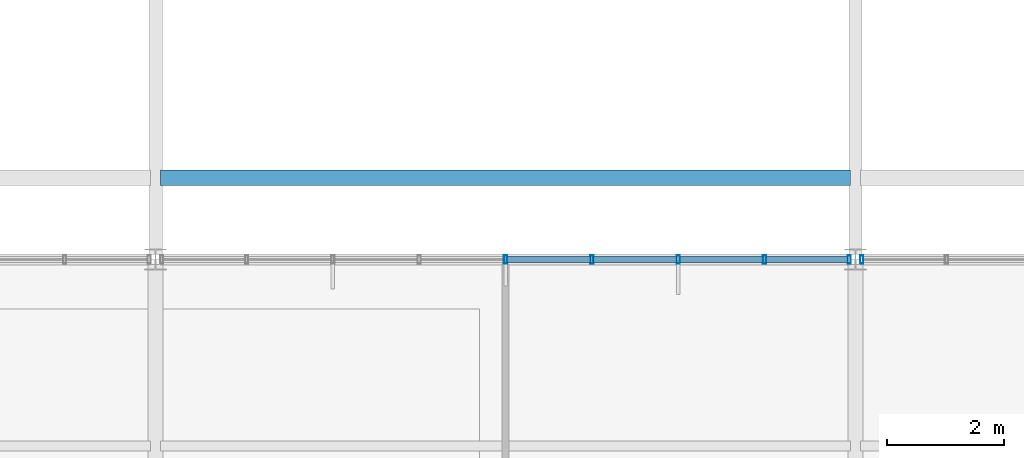
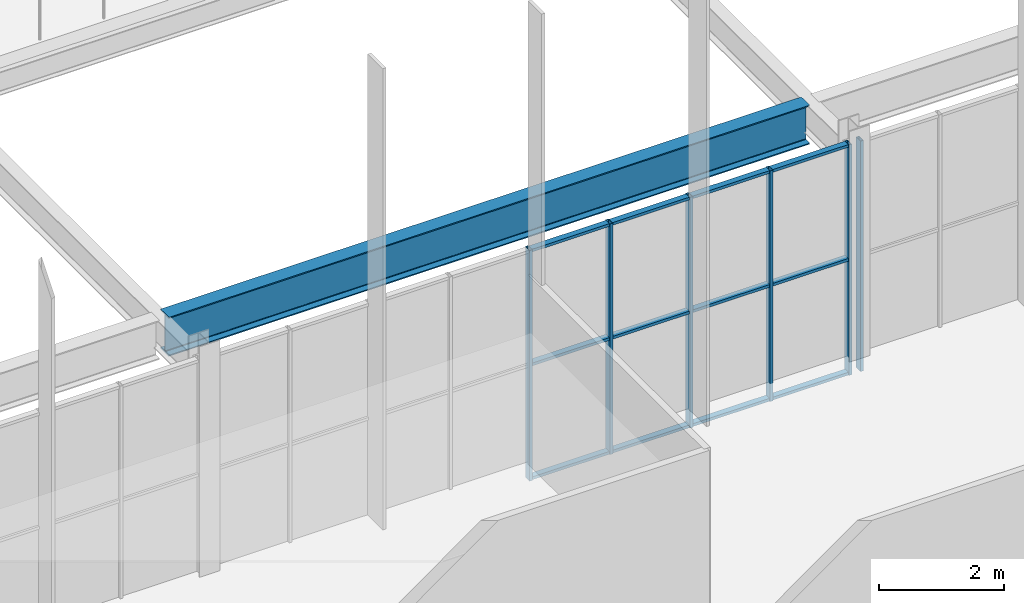
# One storey, part 195 of 324: 18 members, 1 beam, 2 elements without a shape of their own.
"""IFC4 building model written with IfcOpenShell, lengths in metres."""

from ifc_helpers import new_model, si_unit, direction, frame, origin, origin_2d, place, context, subcontext, project, spatial, hollow_rectangle, i_section, extrude, material, layer, layer_set, material_profile, profile_set, type_object, element, aggregate, save


model = new_model("IFC4")

# Units and contexts
model_context = context("Model", 3, precision=1e-05, world=origin(), true_north=direction((0.0, 1.0)))
body_context = subcontext(model_context, "Body", "Model", "MODEL_VIEW")
ifc_project = project(units=[si_unit("LENGTHUNIT", "METRE"), si_unit("AREAUNIT", "SQUARE_METRE"), si_unit("VOLUMEUNIT", "CUBIC_METRE"), si_unit("PLANEANGLEUNIT", "RADIAN"), si_unit("MASSUNIT", "GRAM", prefix="KILO")], contexts=[model_context])

# Site, building, storey
site_placement = place(None, origin())
site = spatial("IfcSite", under=ifc_project, at=site_placement, CompositionType="ELEMENT")
building_placement = place(site_placement, origin())
building = spatial("IfcBuilding", under=site, at=building_placement, Name="Solvenia Promenade Tram Depot", CompositionType="ELEMENT")
storey_placement = place(building_placement, frame((0.0, 0.0, 4.5)))
storey = spatial("IfcBuildingStorey", under=building, at=storey_placement, Name="L01", CompositionType="ELEMENT", Elevation=4.5)

# Curtain wall, members
ifc_material_1 = material(Name="Anodized aluminium AW-6063 T6", Category="aluminium")
ifc_layer = layer(ifc_material_1, 0.080078125, Name="Anodized aluminium AW-6063 T6", Category="aluminium")
ifc_layer_set = layer_set([ifc_layer], Name="Anodized aluminium AW-6063 T6")
curtain_wall_type = type_object("IfcCurtainWallType", Name="CW-Clerest-1500", PredefinedType="NOTDEFINED", material=ifc_layer_set)
curtain_wall_1_placement = place(storey_placement, origin())
curtain_wall_1 = element("IfcCurtainWall", 1, at=curtain_wall_1_placement, inside=storey, type_object=curtain_wall_type, Name="Curtain Wall CW-V2S-L1-08", PredefinedType="NOTDEFINED")
ifc_material_profile_1 = material_profile(ifc_material_1, hollow_rectangle(XDim=0.139892578125, YDim=0.054931640625, WallThickness=0.00390625, at=origin_2d()), Name="ALU-M4", Category="aluminium")
ifc_profile_set_1 = profile_set([ifc_material_profile_1], Name="Anodized aluminium AW-6063 T6")
member_type_1 = type_object("IfcMemberType", Name="CWM-Mullion-4", PredefinedType="MULLION", material=ifc_profile_set_1)
member_1_placement = place(storey_placement, frame((168.0, 24.0, -0.35009765625), z_axis=(0.0, 0.0, 1.0), x_axis=(0.0, 1.0, 0.0)))
member_1 = element("IfcMember", 2, at=member_1_placement, type_object=member_type_1, Name="CW-4 mullion 5", PredefinedType="MULLION", context=body_context, shape_type="SweptSolid", body=[
    extrude(hollow_rectangle(XDim=0.139892578125, YDim=0.054931640625, WallThickness=0.00390625, at=origin_2d()), origin(), (0.0, 0.0, 1.0), 4.5),
])
member_2_placement = place(storey_placement, frame((169.47998046875, 24.0, -0.35009765625), z_axis=(0.0, 0.0, 1.0), x_axis=(0.0, 1.0, 0.0)))
member_2 = element("IfcMember", 3, at=member_2_placement, type_object=member_type_1, Name="CW-4 mullion 6", PredefinedType="MULLION", context=body_context, shape_type="SweptSolid", body=[
    extrude(hollow_rectangle(XDim=0.139892578125, YDim=0.054931640625, WallThickness=0.00390625, at=origin_2d()), origin(), (0.0, 0.0, 1.0), 4.5),
])
member_3_placement = place(storey_placement, frame((170.9599609375, 24.0, -0.35009765625), z_axis=(0.0, 0.0, 1.0), x_axis=(0.0, 1.0, 0.0)))
member_3 = element("IfcMember", 4, at=member_3_placement, type_object=member_type_1, Name="CW-4 mullion 7", PredefinedType="MULLION", context=body_context, shape_type="SweptSolid", body=[
    extrude(hollow_rectangle(XDim=0.139892578125, YDim=0.054931640625, WallThickness=0.00390625, at=origin_2d()), origin(), (0.0, 0.0, 1.0), 4.5),
])
member_4_placement = place(storey_placement, frame((172.43994140625, 24.0, -0.35009765625), z_axis=(0.0, 0.0, 1.0), x_axis=(0.0, 1.0, 0.0)))
member_4 = element("IfcMember", 5, at=member_4_placement, type_object=member_type_1, Name="CW-4 mullion 8", PredefinedType="MULLION", context=body_context, shape_type="SweptSolid", body=[
    extrude(hollow_rectangle(XDim=0.139892578125, YDim=0.054931640625, WallThickness=0.00390625, at=origin_2d()), origin(), (0.0, 0.0, 1.0), 4.5),
])
member_5_placement = place(storey_placement, frame((173.892578125, 24.0, -0.35009765625), z_axis=(0.0, 0.0, 1.0), x_axis=(0.0, 1.0, 0.0)))
member_5 = element("IfcMember", 6, at=member_5_placement, type_object=member_type_1, Name="CW-4 mullion 9", PredefinedType="MULLION", context=body_context, shape_type="SweptSolid", body=[
    extrude(hollow_rectangle(XDim=0.139892578125, YDim=0.054931640625, WallThickness=0.00390625, at=origin_2d()), origin(), (0.0, 0.0, 1.0), 4.5),
])

# Curtain wall, member
curtain_wall_2_placement = place(storey_placement, origin())
curtain_wall_2 = element("IfcCurtainWall", 7, at=curtain_wall_2_placement, inside=storey, type_object=curtain_wall_type, Name="Curtain Wall CW-V2S-L1-09", PredefinedType="NOTDEFINED")
member_6_placement = place(storey_placement, frame((174.107421875, 24.0, -0.35009765625), z_axis=(0.0, 0.0, 1.0), x_axis=(0.0, 1.0, 0.0)))
member_6 = element("IfcMember", 8, at=member_6_placement, type_object=member_type_1, Name="CW-4 mullion 1", PredefinedType="MULLION", context=body_context, shape_type="SweptSolid", body=[
    extrude(hollow_rectangle(XDim=0.139892578125, YDim=0.054931640625, WallThickness=0.00390625, at=origin_2d()), origin(), (0.0, 0.0, 1.0), 4.5),
])
aggregate(curtain_wall_2, [member_6])

# Member
ifc_material_profile_2 = material_profile(ifc_material_1, hollow_rectangle(XDim=0.110107421875, YDim=0.054931640625, WallThickness=0.00390625, at=origin_2d()), Name="ALU-T4", Category="aluminium")
ifc_profile_set_2 = profile_set([ifc_material_profile_2], Name="Anodized aluminium AW-6063 T6")
member_type_2 = type_object("IfcMemberType", Name="CWT-Transom-4", PredefinedType="USERDEFINED", material=ifc_profile_set_2)
member_7_placement = place(storey_placement, frame((168.027587890625, 24.0, -0.322509765625), z_axis=(1.0, 0.0, 0.0), x_axis=(0.0, 1.0, 0.0)))
member_7 = element("IfcMember", 9, at=member_7_placement, type_object=member_type_2, Name="CW-4 transom 5.1", ObjectType="TRANSOM", PredefinedType="USERDEFINED", context=body_context, shape_type="SweptSolid", body=[
    extrude(hollow_rectangle(XDim=0.110107421875, YDim=0.054931640625, WallThickness=0.00390625, at=origin_2d()), origin(), (0.0, 0.0, 1.0), 1.4248046875),
])

member_8_placement = place(storey_placement, frame((168.027587890625, 24.0, 1.89990234375), z_axis=(1.0, 0.0, 0.0), x_axis=(0.0, 1.0, 0.0)))
member_8 = element("IfcMember", 10, at=member_8_placement, type_object=member_type_2, Name="CW-4 transom 5.2", ObjectType="TRANSOM", PredefinedType="USERDEFINED", context=body_context, shape_type="SweptSolid", body=[
    extrude(hollow_rectangle(XDim=0.110107421875, YDim=0.054931640625, WallThickness=0.00390625, at=origin_2d()), origin(), (0.0, 0.0, 1.0), 1.4248046875),
])

member_9_placement = place(storey_placement, frame((168.027587890625, 24.0, 4.12255859375), z_axis=(1.0, 0.0, 0.0), x_axis=(0.0, 1.0, 0.0)))
member_9 = element("IfcMember", 11, at=member_9_placement, type_object=member_type_2, Name="CW-4 transom 5.3", ObjectType="TRANSOM", PredefinedType="USERDEFINED", context=body_context, shape_type="SweptSolid", body=[
    extrude(hollow_rectangle(XDim=0.110107421875, YDim=0.054931640625, WallThickness=0.00390625, at=origin_2d()), origin(), (0.0, 0.0, 1.0), 1.4248046875),
])

member_10_placement = place(storey_placement, frame((169.507568359375, 24.0, -0.322509765625), z_axis=(1.0, 0.0, 0.0), x_axis=(0.0, 1.0, 0.0)))
member_10 = element("IfcMember", 12, at=member_10_placement, type_object=member_type_2, Name="CW-4 transom 6.1", ObjectType="TRANSOM", PredefinedType="USERDEFINED", context=body_context, shape_type="SweptSolid", body=[
    extrude(hollow_rectangle(XDim=0.110107421875, YDim=0.054931640625, WallThickness=0.00390625, at=origin_2d()), origin(), (0.0, 0.0, 1.0), 1.425048828125),
])

member_11_placement = place(storey_placement, frame((169.507568359375, 24.0, 1.89990234375), z_axis=(1.0, 0.0, 0.0), x_axis=(0.0, 1.0, 0.0)))
member_11 = element("IfcMember", 13, at=member_11_placement, type_object=member_type_2, Name="CW-4 transom 6.2", ObjectType="TRANSOM", PredefinedType="USERDEFINED", context=body_context, shape_type="SweptSolid", body=[
    extrude(hollow_rectangle(XDim=0.110107421875, YDim=0.054931640625, WallThickness=0.00390625, at=origin_2d()), origin(), (0.0, 0.0, 1.0), 1.425048828125),
])

member_12_placement = place(storey_placement, frame((169.507568359375, 24.0, 4.12255859375), z_axis=(1.0, 0.0, 0.0), x_axis=(0.0, 1.0, 0.0)))
member_12 = element("IfcMember", 14, at=member_12_placement, type_object=member_type_2, Name="CW-4 transom 6.3", ObjectType="TRANSOM", PredefinedType="USERDEFINED", context=body_context, shape_type="SweptSolid", body=[
    extrude(hollow_rectangle(XDim=0.110107421875, YDim=0.054931640625, WallThickness=0.00390625, at=origin_2d()), origin(), (0.0, 0.0, 1.0), 1.425048828125),
])

member_13_placement = place(storey_placement, frame((170.987548828125, 24.0, -0.322509765625), z_axis=(1.0, 0.0, 0.0), x_axis=(0.0, 1.0, 0.0)))
member_13 = element("IfcMember", 15, at=member_13_placement, type_object=member_type_2, Name="CW-4 transom 7.1", ObjectType="TRANSOM", PredefinedType="USERDEFINED", context=body_context, shape_type="SweptSolid", body=[
    extrude(hollow_rectangle(XDim=0.110107421875, YDim=0.054931640625, WallThickness=0.00390625, at=origin_2d()), origin(), (0.0, 0.0, 1.0), 1.425048828125),
])

member_14_placement = place(storey_placement, frame((170.987548828125, 24.0, 1.89990234375), z_axis=(1.0, 0.0, 0.0), x_axis=(0.0, 1.0, 0.0)))
member_14 = element("IfcMember", 16, at=member_14_placement, type_object=member_type_2, Name="CW-4 transom 7.2", ObjectType="TRANSOM", PredefinedType="USERDEFINED", context=body_context, shape_type="SweptSolid", body=[
    extrude(hollow_rectangle(XDim=0.110107421875, YDim=0.054931640625, WallThickness=0.00390625, at=origin_2d()), origin(), (0.0, 0.0, 1.0), 1.425048828125),
])

member_15_placement = place(storey_placement, frame((170.987548828125, 24.0, 4.12255859375), z_axis=(1.0, 0.0, 0.0), x_axis=(0.0, 1.0, 0.0)))
member_15 = element("IfcMember", 17, at=member_15_placement, type_object=member_type_2, Name="CW-4 transom 7.3", ObjectType="TRANSOM", PredefinedType="USERDEFINED", context=body_context, shape_type="SweptSolid", body=[
    extrude(hollow_rectangle(XDim=0.110107421875, YDim=0.054931640625, WallThickness=0.00390625, at=origin_2d()), origin(), (0.0, 0.0, 1.0), 1.425048828125),
])

member_16_placement = place(storey_placement, frame((172.467529296875, 24.0, -0.322509765625), z_axis=(1.0, 0.0, 0.0), x_axis=(0.0, 1.0, 0.0)))
member_16 = element("IfcMember", 18, at=member_16_placement, type_object=member_type_2, Name="CW-4 transom 8.1", ObjectType="TRANSOM", PredefinedType="USERDEFINED", context=body_context, shape_type="SweptSolid", body=[
    extrude(hollow_rectangle(XDim=0.110107421875, YDim=0.054931640625, WallThickness=0.00390625, at=origin_2d()), origin(), (0.0, 0.0, 1.0), 1.3974609375),
])

member_17_placement = place(storey_placement, frame((172.467529296875, 24.0, 1.89990234375), z_axis=(1.0, 0.0, 0.0), x_axis=(0.0, 1.0, 0.0)))
member_17 = element("IfcMember", 19, at=member_17_placement, type_object=member_type_2, Name="CW-4 transom 8.2", ObjectType="TRANSOM", PredefinedType="USERDEFINED", context=body_context, shape_type="SweptSolid", body=[
    extrude(hollow_rectangle(XDim=0.110107421875, YDim=0.054931640625, WallThickness=0.00390625, at=origin_2d()), origin(), (0.0, 0.0, 1.0), 1.3974609375),
])

member_18_placement = place(storey_placement, frame((172.467529296875, 24.0, 4.12255859375), z_axis=(1.0, 0.0, 0.0), x_axis=(0.0, 1.0, 0.0)))
member_18 = element("IfcMember", 20, at=member_18_placement, type_object=member_type_2, Name="CW-4 transom 8.3", ObjectType="TRANSOM", PredefinedType="USERDEFINED", context=body_context, shape_type="SweptSolid", body=[
    extrude(hollow_rectangle(XDim=0.110107421875, YDim=0.054931640625, WallThickness=0.00390625, at=origin_2d()), origin(), (0.0, 0.0, 1.0), 1.3974609375),
])

aggregate(curtain_wall_1, [member_1, member_2, member_3, member_4, member_5, member_7, member_8, member_9, member_10, member_11, member_12, member_13, member_14, member_15, member_16, member_17, member_18])

# Beam
ifc_material_2 = material(Name="Structural steel ASTM A992 Gr. 50", Category="steel")
ifc_material_profile_3 = material_profile(ifc_material_2, i_section(OverallWidth=0.26708984375, OverallDepth=0.761962890625, WebThickness=0.014404296875, FlangeThickness=0.021484375, FilletRadius=0.01806640625, at=origin_2d()), Name="W760x173", Category="steel")
ifc_profile_set_3 = profile_set([ifc_material_profile_3], Name="Structural steel ASTM A992 Gr. 50")
beam_type = type_object("IfcBeamType", Name="Gird-W760x173", PredefinedType="BEAM", material=ifc_profile_set_3)
beam_placement = place(storey_placement, frame((162.0849609375, 25.39990234375, 3.718994140625), z_axis=(1.0, 0.0, 0.0), x_axis=(0.0, 1.0, 0.0)))
element("IfcBeam", 21, at=beam_placement, inside=storey, type_object=beam_type, Name="Bridge Crane Runway Girder BM-L01-0923", PredefinedType="BEAM", context=body_context, shape_type="SweptSolid", body=[
    extrude(i_section(OverallWidth=0.26708984375, OverallDepth=0.761962890625, WebThickness=0.014404296875, FlangeThickness=0.021484375, FilletRadius=0.01806640625, at=origin_2d()), origin(), (0.0, 0.0, 1.0), 11.830078125),
])

save(model, "model.ifc")
